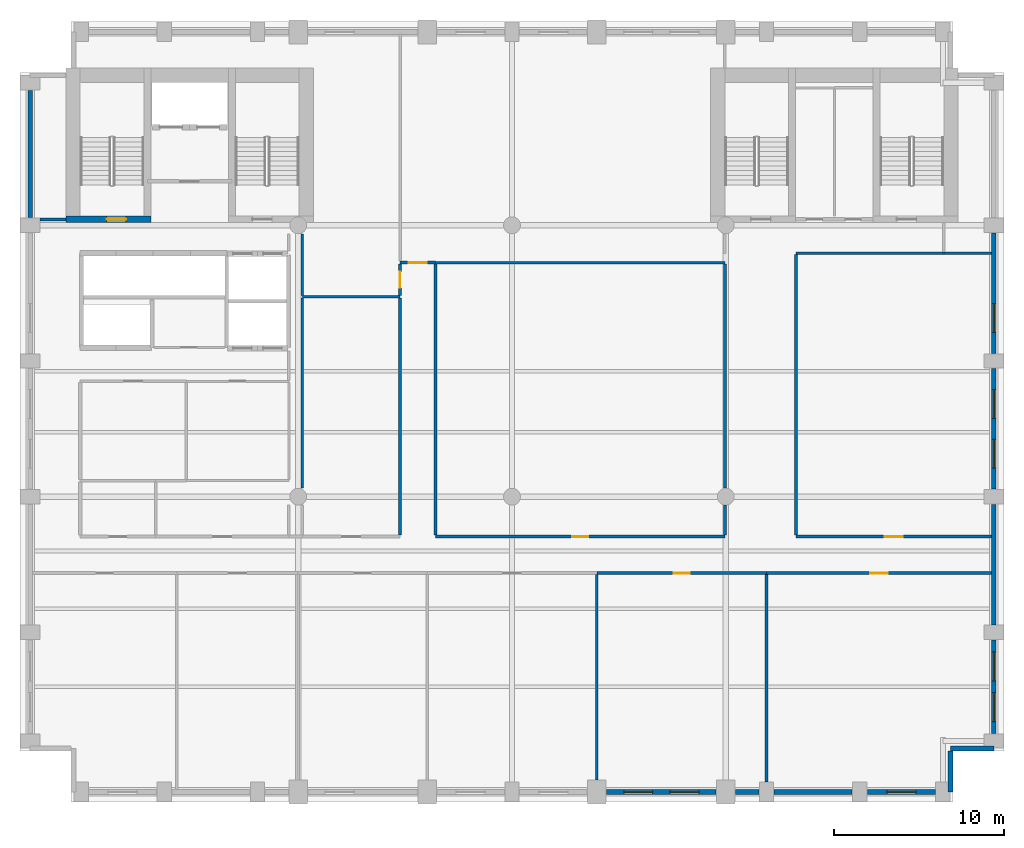
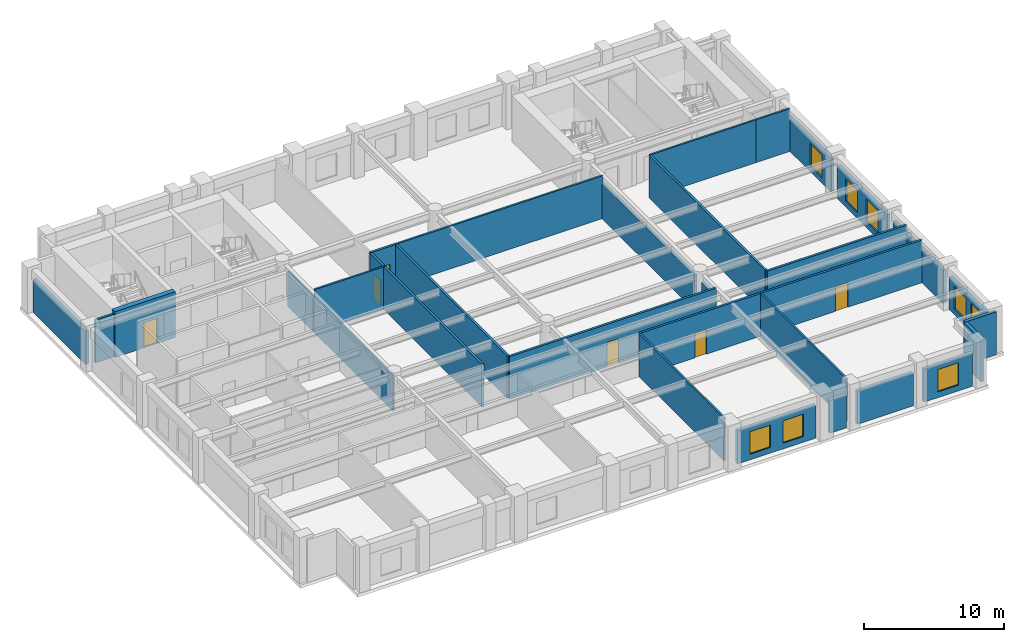
# One storey, part 4 of 8: 32 walls, 8 windows, 7 doors, 15 openings.
"""IFC4 building model written with IfcOpenShell, lengths in metres."""

from ifc_helpers import new_model, si_unit, direction, frame, frame_2d, origin, place, context, subcontext, project, spatial, rectangle, extrude, material, layer, layer_set, type_object, element, fill, save


model = new_model("IFC4")

# Units and contexts
model_context = context("Model", 3, precision=1e-05, world=origin(), true_north=direction((0.0, 1.0)))
body_context = subcontext(model_context, "Body", "Model", "MODEL_VIEW")
ifc_project = project(units=[si_unit("LENGTHUNIT", "METRE"), si_unit("AREAUNIT", "SQUARE_METRE"), si_unit("VOLUMEUNIT", "CUBIC_METRE"), si_unit("PLANEANGLEUNIT", "RADIAN"), si_unit("MASSUNIT", "GRAM", prefix="KILO")], contexts=[model_context])

# Site, building, storey
site_placement = place(None, origin())
site = spatial("IfcSite", under=ifc_project, at=site_placement, CompositionType="ELEMENT")
building_placement = place(site_placement, origin())
building = spatial("IfcBuilding", under=site, at=building_placement, Name="Sulina Concourse Tower", CompositionType="ELEMENT")
storey_placement = place(building_placement, frame((0.0, 0.0, 136.60009765625)))
storey = spatial("IfcBuildingStorey", under=building, at=storey_placement, Name="L33", CompositionType="ELEMENT", Elevation=136.60009765625)

# Walls
ifc_material_1 = material(Name="Gypsum board on steel stud", Category="steel")
ifc_layer_1 = layer(ifc_material_1, 0.14990234375)
ifc_layer_set_1 = layer_set([ifc_layer_1], Name="Gypsum board on steel stud")
wall_type_1 = type_object("IfcWallType", Name="Inter-Tenancy Acoustic Partition 150mm", PredefinedType="PARTITIONING", material=ifc_layer_set_1)
wall_1_placement = place(storey_placement, frame((16.64990234375, 29.800048828125, 0.0), z_axis=(0.0, 0.0, 1.0), x_axis=(1.0, 0.0, 0.0)))
element("IfcWall", 1, at=wall_1_placement, inside=storey, type_object=wall_type_1, Name="L33 interior partition 019", PredefinedType="PARTITIONING", context=body_context, shape_type="SweptSolid", body=[
    extrude(rectangle(XDim=5.75, YDim=0.14990234375, at=frame_2d((2.875, 0.0))), origin(), (0.0, 0.0, 1.0), 3.724853515625),
])
wall_2_placement = place(storey_placement, frame((24.5, 31.800048828125, 0.0), z_axis=(0.0, 0.0, 1.0), x_axis=(1.0, 0.0, 0.0)))
element("IfcWall", 2, at=wall_2_placement, inside=storey, type_object=wall_type_1, Name="L33 interior partition 021", PredefinedType="PARTITIONING", context=body_context, shape_type="SweptSolid", body=[
    extrude(rectangle(XDim=17.050048828125, YDim=0.14990234375, at=frame_2d((8.52490234375, 0.0))), origin(), (0.0, 0.0, 1.0), 3.724853515625),
])
wall_3_placement = place(storey_placement, frame((45.75, 32.35009765625, 0.0), z_axis=(0.0, 0.0, 1.0), x_axis=(1.0, 0.0, 0.0)))
element("IfcWall", 3, at=wall_3_placement, inside=storey, type_object=wall_type_1, Name="L33 interior partition 022", PredefinedType="PARTITIONING", context=body_context, shape_type="SweptSolid", body=[
    extrude(rectangle(XDim=8.699951171875, YDim=0.14990234375, at=frame_2d((4.35009765625, 0.0))), origin(), (0.0, 0.0, 1.0), 3.724853515625),
])
wall_4_placement = place(storey_placement, frame((54.449951171875, 32.35009765625, 0.0), z_axis=(0.0, 0.0, 1.0), x_axis=(1.0, 0.0, 0.0)))
element("IfcWall", 4, at=wall_4_placement, inside=storey, type_object=wall_type_1, Name="L33 interior partition 023", PredefinedType="PARTITIONING", context=body_context, shape_type="SweptSolid", body=[
    extrude(rectangle(XDim=2.81005859375, YDim=0.14990234375, at=frame_2d((1.405029296875, 0.0))), origin(), (0.0, 0.0, 1.0), 3.724853515625),
])
wall_5_placement = place(storey_placement, frame((16.64990234375, 18.5, 0.0), z_axis=(0.0, 0.0, 1.0), x_axis=(0.0, 1.0, 0.0)))
element("IfcWall", 5, at=wall_5_placement, inside=storey, type_object=wall_type_1, Name="L33 interior partition 038", PredefinedType="PARTITIONING", context=body_context, shape_type="SweptSolid", body=[
    extrude(rectangle(XDim=11.22509765625, YDim=0.14990234375, at=frame_2d((5.612548828125, 0.0))), origin(), (0.0, 0.0, 1.0), 3.06982421875),
])
wall_6_placement = place(storey_placement, frame((16.64990234375, 29.875, 0.0), z_axis=(0.0, 0.0, 1.0), x_axis=(0.0, 1.0, 0.0)))
element("IfcWall", 6, at=wall_6_placement, inside=storey, type_object=wall_type_1, Name="L33 interior partition 039", PredefinedType="PARTITIONING", context=body_context, shape_type="SweptSolid", body=[
    extrude(rectangle(XDim=3.625, YDim=0.14990234375, at=frame_2d((1.8125, 0.0))), origin(), (0.0, 0.0, 1.0), 3.06982421875),
])
wall_7_placement = place(storey_placement, frame((34.0, 1.300048828125, 0.0), z_axis=(0.0, 0.0, 1.0), x_axis=(0.0, 1.0, 0.0)))
element("IfcWall", 7, at=wall_7_placement, inside=storey, type_object=wall_type_1, Name="L33 interior partition 045", PredefinedType="PARTITIONING", context=body_context, shape_type="SweptSolid", body=[
    extrude(rectangle(XDim=12.10986328125, YDim=0.14990234375, at=frame_2d((6.054931640625, 0.0))), origin(), (0.0, 0.0, 1.0), 3.724853515625),
])
wall_8_placement = place(storey_placement, frame((44.0, 1.175048828125, 0.0), z_axis=(0.0, 0.0, 1.0), x_axis=(0.0, 1.0, 0.0)))
element("IfcWall", 8, at=wall_8_placement, inside=storey, type_object=wall_type_1, Name="L33 interior partition 050", PredefinedType="PARTITIONING", context=body_context, shape_type="SweptSolid", body=[
    extrude(rectangle(XDim=12.23486328125, YDim=0.14990234375, at=frame_2d((6.117431640625, 0.0))), origin(), (0.0, 0.0, 1.0), 3.724853515625),
])

# Wall, opening, door
ifc_material_2 = material(Name="Gypsum board on steel stud", Category="steel")
ifc_layer_2 = layer(ifc_material_2, 0.179931640625)
ifc_layer_set_2 = layer_set([ifc_layer_2], Name="Gypsum board on steel stud")
wall_type_2 = type_object("IfcWallType", Name="Protected Corridor & Riser Partition 180mm", PredefinedType="PARTITIONING", material=ifc_layer_set_2)
wall_9_placement = place(storey_placement, frame((34.0, 13.5, 0.0), z_axis=(0.0, 0.0, 1.0), x_axis=(1.0, 0.0, 0.0)))
wall_9 = element("IfcWall", 9, at=wall_9_placement, inside=storey, type_object=wall_type_2, Name="L33 interior partition 005", PredefinedType="PARTITIONING", context=body_context, shape_type="SweptSolid", body=[
    extrude(rectangle(XDim=10.0, YDim=0.179931640625, at=frame_2d((5.0, 0.0))), origin(), (0.0, 0.0, 1.0), 3.724853515625),
])
opening_1_placement = place(wall_9_placement, frame((4.52490234375, 0.0, 0.0)))
opening_1 = element("IfcOpeningElement", 10, at=opening_1_placement, cuts=wall_9, Name="Opening DR-19", PredefinedType="OPENING", context=body_context, shape_type="SweptSolid", body=[
    extrude(rectangle(XDim=0.949951171875, YDim=2.14990234375, at=frame_2d((0.47509765625, 1.074951171875))), frame((0.0, 0.099853515625, 0.0), z_axis=(0.0, -1.0, 0.0), x_axis=(1.0, 0.0, 0.0)), (0.0, 0.0, 1.0), 0.199951171875),
])
ifc_material_3 = material(Name="Oak-veneered acoustic timber leaf", Category="wood")
ifc_layer_3 = layer(ifc_material_3, 0.050048828125)
ifc_layer_set_3 = layer_set([ifc_layer_3], Name="Oak-veneered acoustic timber leaf")
door_type_1 = type_object("IfcDoorType", Name="Cellular Office & Meeting Door 950x2150", OperationType="NOTDEFINED", PredefinedType="DOOR", material=ifc_layer_set_3)
door_1_placement = place(opening_1_placement, origin())
door_1 = element("IfcDoor", 11, at=door_1_placement, inside=storey, type_object=door_type_1, Name="L33 interior door L33-S05", OperationType="SINGLE_SWING_RIGHT", OverallHeight=2.14990234375, OverallWidth=0.949951171875, PredefinedType="DOOR", context=body_context, shape_type="SweptSolid", body=[
    extrude(rectangle(XDim=0.949951171875, YDim=2.14990234375, at=frame_2d((0.47509765625, 1.074951171875))), frame((0.0, 0.02490234375, 0.0), z_axis=(0.0, -1.0, 0.0), x_axis=(1.0, 0.0, 0.0)), (0.0, 0.0, 1.0), 0.050048828125),
])
fill(opening_1, door_1)

wall_10_placement = place(storey_placement, frame((44.0, 13.5, 0.0), z_axis=(0.0, 0.0, 1.0), x_axis=(1.0, 0.0, 0.0)))
wall_10 = element("IfcWall", 12, at=wall_10_placement, inside=storey, type_object=wall_type_2, Name="L33 interior partition 006", PredefinedType="PARTITIONING", context=body_context, shape_type="SweptSolid", body=[
    extrude(rectangle(XDim=13.260009765625, YDim=0.179931640625, at=frame_2d((6.6298828125, 0.0))), origin(), (0.0, 0.0, 1.0), 3.724853515625),
])
opening_2_placement = place(wall_10_placement, frame((6.10498046875, 0.0, 0.0)))
opening_2 = element("IfcOpeningElement", 13, at=opening_2_placement, cuts=wall_10, Name="Opening DR-37", PredefinedType="OPENING", context=body_context, shape_type="SweptSolid", body=[
    extrude(rectangle(XDim=1.050048828125, YDim=2.14990234375, at=frame_2d((0.52490234375, 1.074951171875))), frame((0.0, 0.099853515625, 0.0), z_axis=(0.0, -1.0, 0.0), x_axis=(1.0, 0.0, 0.0)), (0.0, 0.0, 1.0), 0.199951171875),
])
ifc_material_4 = material(Name="Oak-veneered fire door leaf")
ifc_layer_4 = layer(ifc_material_4, 0.050048828125)
ifc_layer_set_4 = layer_set([ifc_layer_4], Name="Oak-veneered fire door leaf")
door_type_2 = type_object("IfcDoorType", Name="Tenant Suite Entrance Fire Door 1050x2150", OperationType="NOTDEFINED", PredefinedType="DOOR", material=ifc_layer_set_4)
door_2_placement = place(opening_2_placement, origin())
door_2 = element("IfcDoor", 14, at=door_2_placement, inside=storey, type_object=door_type_2, Name="L33 interior door L33-S06", OperationType="SINGLE_SWING_LEFT", OverallHeight=2.14990234375, OverallWidth=1.050048828125, PredefinedType="DOOR", context=body_context, shape_type="SweptSolid", body=[
    extrude(rectangle(XDim=1.050048828125, YDim=2.14990234375, at=frame_2d((0.52490234375, 1.074951171875))), frame((0.0, 0.02490234375, 0.0), z_axis=(0.0, -1.0, 0.0), x_axis=(1.0, 0.0, 0.0)), (0.0, 0.0, 1.0), 0.050048828125),
])
fill(opening_2, door_2)

wall_11_placement = place(storey_placement, frame((24.5, 15.64990234375, 0.0), z_axis=(0.0, 0.0, 1.0), x_axis=(1.0, 0.0, 0.0)))
wall_11 = element("IfcWall", 15, at=wall_11_placement, inside=storey, type_object=wall_type_2, Name="L33 interior partition 011", PredefinedType="PARTITIONING", context=body_context, shape_type="SweptSolid", body=[
    extrude(rectangle(XDim=17.050048828125, YDim=0.179931640625, at=frame_2d((8.52490234375, 0.0))), origin(), (0.0, 0.0, 1.0), 3.724853515625),
])
opening_3_placement = place(wall_11_placement, frame((8.050048828125, 0.0, 0.0)))
opening_3 = element("IfcOpeningElement", 16, at=opening_3_placement, cuts=wall_11, Name="Opening DR-19", PredefinedType="OPENING", context=body_context, shape_type="SweptSolid", body=[
    extrude(rectangle(XDim=0.949951171875, YDim=2.14990234375, at=frame_2d((0.47509765625, 1.074951171875))), frame((0.0, 0.099853515625, 0.0), z_axis=(0.0, -1.0, 0.0), x_axis=(1.0, 0.0, 0.0)), (0.0, 0.0, 1.0), 0.199951171875),
])
door_3_placement = place(opening_3_placement, origin())
door_3 = element("IfcDoor", 17, at=door_3_placement, inside=storey, type_object=door_type_1, Name="L33 interior door L33-NC3", OperationType="SINGLE_SWING_LEFT", OverallHeight=2.14990234375, OverallWidth=0.949951171875, PredefinedType="DOOR", context=body_context, shape_type="SweptSolid", body=[
    extrude(rectangle(XDim=0.949951171875, YDim=2.14990234375, at=frame_2d((0.47509765625, 1.074951171875))), frame((0.0, 0.02490234375, 0.0), z_axis=(0.0, -1.0, 0.0), x_axis=(1.0, 0.0, 0.0)), (0.0, 0.0, 1.0), 0.050048828125),
])
fill(opening_3, door_3)

wall_12_placement = place(storey_placement, frame((45.75, 15.64990234375, 0.0), z_axis=(0.0, 0.0, 1.0), x_axis=(1.0, 0.0, 0.0)))
wall_12 = element("IfcWall", 18, at=wall_12_placement, inside=storey, type_object=wall_type_2, Name="L33 interior partition 012", PredefinedType="PARTITIONING", context=body_context, shape_type="SweptSolid", body=[
    extrude(rectangle(XDim=11.510009765625, YDim=0.179931640625, at=frame_2d((5.7548828125, 0.0))), origin(), (0.0, 0.0, 1.0), 3.724853515625),
])
opening_4_placement = place(wall_12_placement, frame((5.22998046875, 0.0, 0.0)))
opening_4 = element("IfcOpeningElement", 19, at=opening_4_placement, cuts=wall_12, Name="Opening DR-37", PredefinedType="OPENING", context=body_context, shape_type="SweptSolid", body=[
    extrude(rectangle(XDim=1.050048828125, YDim=2.14990234375, at=frame_2d((0.52490234375, 1.074951171875))), frame((0.0, 0.099853515625, 0.0), z_axis=(0.0, -1.0, 0.0), x_axis=(1.0, 0.0, 0.0)), (0.0, 0.0, 1.0), 0.199951171875),
])
door_4_placement = place(opening_4_placement, origin())
door_4 = element("IfcDoor", 20, at=door_4_placement, inside=storey, type_object=door_type_2, Name="L33 interior door L33-NE1", OperationType="SINGLE_SWING_RIGHT", OverallHeight=2.14990234375, OverallWidth=1.050048828125, PredefinedType="DOOR", context=body_context, shape_type="SweptSolid", body=[
    extrude(rectangle(XDim=1.050048828125, YDim=2.14990234375, at=frame_2d((0.52490234375, 1.074951171875))), frame((0.0, 0.02490234375, 0.0), z_axis=(0.0, -1.0, 0.0), x_axis=(1.0, 0.0, 0.0)), (0.0, 0.0, 1.0), 0.050048828125),
])
fill(opening_4, door_4)

wall_13_placement = place(storey_placement, frame((22.39990234375, 31.800048828125, 0.0), z_axis=(0.0, 0.0, 1.0), x_axis=(1.0, 0.0, 0.0)))
wall_13 = element("IfcWall", 21, at=wall_13_placement, inside=storey, type_object=wall_type_2, Name="L33 interior partition 020", PredefinedType="PARTITIONING", context=body_context, shape_type="SweptSolid", body=[
    extrude(rectangle(XDim=2.10009765625, YDim=0.179931640625, at=frame_2d((1.050048828125, 0.0))), origin(), (0.0, 0.0, 1.0), 3.724853515625),
])
opening_5_placement = place(wall_13_placement, frame((0.52490234375, 0.0, 0.0)))
opening_5 = element("IfcOpeningElement", 22, at=opening_5_placement, cuts=wall_13, Name="Opening DR-37", PredefinedType="OPENING", context=body_context, shape_type="SweptSolid", body=[
    extrude(rectangle(XDim=1.050048828125, YDim=2.14990234375, at=frame_2d((0.52490234375, 1.074951171875))), frame((0.0, 0.099853515625, 0.0), z_axis=(0.0, -1.0, 0.0), x_axis=(1.0, 0.0, 0.0)), (0.0, 0.0, 1.0), 0.199951171875),
])
door_5_placement = place(opening_5_placement, origin())
door_5 = element("IfcDoor", 23, at=door_5_placement, inside=storey, type_object=door_type_2, Name="L33 interior door L33-NC4", OperationType="SINGLE_SWING_RIGHT", OverallHeight=2.14990234375, OverallWidth=1.050048828125, PredefinedType="DOOR", context=body_context, shape_type="SweptSolid", body=[
    extrude(rectangle(XDim=1.050048828125, YDim=2.14990234375, at=frame_2d((0.52490234375, 1.074951171875))), frame((0.0, 0.02490234375, 0.0), z_axis=(0.0, -1.0, 0.0), x_axis=(1.0, 0.0, 0.0)), (0.0, 0.0, 1.0), 0.050048828125),
])
fill(opening_5, door_5)

# Walls
wall_14_placement = place(storey_placement, frame((1.175048828125, 34.35009765625, 0.0), z_axis=(0.0, 0.0, 1.0), x_axis=(1.0, 0.0, 0.0)))
element("IfcWall", 24, at=wall_14_placement, inside=storey, type_object=wall_type_2, Name="L33 interior partition 024", PredefinedType="PARTITIONING", context=body_context, shape_type="SweptSolid", body=[
    extrude(rectangle(XDim=1.52490234375, YDim=0.179931640625, at=frame_2d((0.762451171875, 0.0))), origin(), (0.0, 0.0, 1.0), 3.724853515625),
])
wall_15_placement = place(storey_placement, frame((22.39990234375, 15.739990234375, 0.0), z_axis=(0.0, 0.0, 1.0), x_axis=(0.0, 1.0, 0.0)))
element("IfcWall", 25, at=wall_15_placement, inside=storey, type_object=wall_type_2, Name="L33 interior partition 040", PredefinedType="PARTITIONING", context=body_context, shape_type="SweptSolid", body=[
    extrude(rectangle(XDim=13.985107421875, YDim=0.179931640625, at=frame_2d((6.99267578125, 0.0))), origin(), (0.0, 0.0, 1.0), 3.724853515625),
])

# Wall, opening, door
wall_16_placement = place(storey_placement, frame((22.39990234375, 29.875, 0.0), z_axis=(0.0, 0.0, 1.0), x_axis=(0.0, 1.0, 0.0)))
wall_16 = element("IfcWall", 26, at=wall_16_placement, inside=storey, type_object=wall_type_2, Name="L33 interior partition 041", PredefinedType="PARTITIONING", context=body_context, shape_type="SweptSolid", body=[
    extrude(rectangle(XDim=1.8349609375, YDim=0.179931640625, at=frame_2d((0.91748046875, 0.0))), origin(), (0.0, 0.0, 1.0), 3.724853515625),
])
opening_6_placement = place(wall_16_placement, frame((0.4423828125, 0.0, 0.0)))
opening_6 = element("IfcOpeningElement", 27, at=opening_6_placement, cuts=wall_16, Name="Opening DR-19", PredefinedType="OPENING", context=body_context, shape_type="SweptSolid", body=[
    extrude(rectangle(XDim=0.949951171875, YDim=2.14990234375, at=frame_2d((0.47509765625, 1.074951171875))), frame((0.0, 0.099853515625, 0.0), z_axis=(0.0, -1.0, 0.0), x_axis=(1.0, 0.0, 0.0)), (0.0, 0.0, 1.0), 0.199951171875),
])
door_6_placement = place(opening_6_placement, origin())
door_6 = element("IfcDoor", 28, at=door_6_placement, inside=storey, type_object=door_type_1, Name="L33 interior door L33-NC2", OperationType="SINGLE_SWING_LEFT", OverallHeight=2.14990234375, OverallWidth=0.949951171875, PredefinedType="DOOR", context=body_context, shape_type="SweptSolid", body=[
    extrude(rectangle(XDim=0.949951171875, YDim=2.14990234375, at=frame_2d((0.47509765625, 1.074951171875))), frame((0.0, 0.02490234375, 0.0), z_axis=(0.0, -1.0, 0.0), x_axis=(1.0, 0.0, 0.0)), (0.0, 0.0, 1.0), 0.050048828125),
])
fill(opening_6, door_6)

# Walls
wall_17_placement = place(storey_placement, frame((24.5, 15.739990234375, 0.0), z_axis=(0.0, 0.0, 1.0), x_axis=(0.0, 1.0, 0.0)))
element("IfcWall", 29, at=wall_17_placement, inside=storey, type_object=wall_type_2, Name="L33 interior partition 044", PredefinedType="PARTITIONING", context=body_context, shape_type="SweptSolid", body=[
    extrude(rectangle(XDim=15.969970703125, YDim=0.179931640625, at=frame_2d((7.98486328125, 0.0))), origin(), (0.0, 0.0, 1.0), 3.724853515625),
])
wall_18_placement = place(storey_placement, frame((41.550048828125, 15.739990234375, 0.0), z_axis=(0.0, 0.0, 1.0), x_axis=(0.0, 1.0, 0.0)))
element("IfcWall", 30, at=wall_18_placement, inside=storey, type_object=wall_type_2, Name="L33 interior partition 046", PredefinedType="PARTITIONING", context=body_context, shape_type="SweptSolid", body=[
    extrude(rectangle(XDim=1.760009765625, YDim=0.179931640625, at=frame_2d((0.8798828125, 0.0))), origin(), (0.0, 0.0, 1.0), 3.06982421875),
])
wall_19_placement = place(storey_placement, frame((41.550048828125, 18.5, 0.0), z_axis=(0.0, 0.0, 1.0), x_axis=(0.0, 1.0, 0.0)))
element("IfcWall", 31, at=wall_19_placement, inside=storey, type_object=wall_type_2, Name="L33 interior partition 047", PredefinedType="PARTITIONING", context=body_context, shape_type="SweptSolid", body=[
    extrude(rectangle(XDim=13.22509765625, YDim=0.179931640625, at=frame_2d((6.612548828125, 0.0))), origin(), (0.0, 0.0, 1.0), 3.06982421875),
])
wall_20_placement = place(storey_placement, frame((45.75, 15.739990234375, 0.0), z_axis=(0.0, 0.0, 1.0), x_axis=(0.0, 1.0, 0.0)))
element("IfcWall", 32, at=wall_20_placement, inside=storey, type_object=wall_type_2, Name="L33 interior partition 051", PredefinedType="PARTITIONING", context=body_context, shape_type="SweptSolid", body=[
    extrude(rectangle(XDim=16.534912109375, YDim=0.179931640625, at=frame_2d((8.267578125, 0.0))), origin(), (0.0, 0.0, 1.0), 3.724853515625),
])

# Wall, opening, door
ifc_material_5 = material(Name="Concrete C60/75", Category="concrete")
ifc_layer_5 = layer(ifc_material_5, 0.39990234375)
ifc_layer_set_5 = layer_set([ifc_layer_5], Name="Concrete C60/75")
wall_type_3 = type_object("IfcWallType", Name="Protected Stair Core Shear Wall 400mm", PredefinedType="SHEAR", material=ifc_layer_set_5)
wall_21_placement = place(storey_placement, frame((2.699951171875, 34.35009765625, 0.0), z_axis=(0.0, 0.0, 1.0), x_axis=(1.0, 0.0, 0.0)))
wall_21 = element("IfcWall", 33, at=wall_21_placement, inside=storey, type_object=wall_type_3, Name="L33 west core shear wall CW-WS1", PredefinedType="SHEAR", context=body_context, shape_type="SweptSolid", body=[
    extrude(rectangle(XDim=5.010009765625, YDim=0.39990234375, at=frame_2d((2.5048828125, 0.0))), origin(), (0.0, 0.0, 1.0), 4.0),
])
opening_7_placement = place(wall_21_placement, frame((2.39990234375, 0.0, 0.0)))
opening_7 = element("IfcOpeningElement", 34, at=opening_7_placement, cuts=wall_21, Name="Opening DR-60", PredefinedType="OPENING", context=body_context, shape_type="SweptSolid", body=[
    extrude(rectangle(XDim=1.14990234375, YDim=2.199951171875, at=frame_2d((0.574951171875, 1.10009765625))), frame((0.0, 0.2099609375, 0.0), z_axis=(0.0, -1.0, 0.0), x_axis=(1.0, 0.0, 0.0)), (0.0, 0.0, 1.0), 0.419921875),
])
ifc_material_6 = material(Name="Galvanised steel acoustic fire leaf", Category="steel")
ifc_layer_6 = layer(ifc_material_6, 0.054931640625)
ifc_layer_set_6 = layer_set([ifc_layer_6], Name="Galvanised steel acoustic fire leaf")
door_type_3 = type_object("IfcDoorType", Name="Protected Exit Stair Fire Door 1150x2200", OperationType="NOTDEFINED", PredefinedType="DOOR", material=ifc_layer_set_6)
door_7_placement = place(opening_7_placement, origin())
door_7 = element("IfcDoor", 35, at=door_7_placement, inside=storey, type_object=door_type_3, Name="L33 stair ST-1 lobby fire door", OperationType="SINGLE_SWING_RIGHT", OverallHeight=2.199951171875, OverallWidth=1.14990234375, PredefinedType="DOOR", context=body_context, shape_type="SweptSolid", body=[
    extrude(rectangle(XDim=1.14990234375, YDim=2.199951171875, at=frame_2d((0.574951171875, 1.10009765625))), frame((0.0, 0.02490234375, 0.0), z_axis=(0.0, -1.0, 0.0), x_axis=(1.0, 0.0, 0.0)), (0.0, 0.0, 1.0), 0.050048828125),
])
fill(opening_7, door_7)

# Wall, openings, windows
ifc_material_7 = material(Name="Precast concrete C50/60", Category="concrete")
ifc_layer_7 = layer(ifc_material_7, 0.280029296875)
ifc_layer_set_7 = layer_set([ifc_layer_7], Name="Precast concrete C50/60")
wall_type_4 = type_object("IfcWallType", Name="Typical Precast Masonry-Frame Facade Wall 280mm", PredefinedType="SOLIDWALL", material=ifc_layer_set_7)
wall_22_placement = place(storey_placement, frame((41.030029296875, 0.60009765625, 0.0), z_axis=(0.0, 0.0, 1.0), x_axis=(-1.0, 0.0, 0.0)))
wall_22 = element("IfcWall", 36, at=wall_22_placement, inside=storey, type_object=wall_type_4, Name="L33 exterior precast wall S7", PredefinedType="SOLIDWALL", context=body_context, shape_type="SweptSolid", body=[
    extrude(rectangle(XDim=6.4599609375, YDim=0.280029296875, at=frame_2d((3.22998046875, 0.0))), origin(), (0.0, 0.0, 1.0), 2.875),
])
opening_8_placement = place(wall_22_placement, frame((1.02001953125, 0.0, 0.5)))
opening_8 = element("IfcOpeningElement", 37, at=opening_8_placement, cuts=wall_22, Name="Opening WN-66", PredefinedType="OPENING", context=body_context, shape_type="SweptSolid", body=[
    extrude(rectangle(XDim=1.699951171875, YDim=1.949951171875, at=frame_2d((0.85009765625, 0.97509765625))), frame((0.0, 0.14990234375, 0.0), z_axis=(0.0, -1.0, 0.0), x_axis=(1.0, 0.0, 0.0)), (0.0, 0.0, 1.0), 0.300048828125),
])
opening_9_placement = place(wall_22_placement, frame((3.739990234375, 0.0, 0.5)))
opening_9 = element("IfcOpeningElement", 38, at=opening_9_placement, cuts=wall_22, Name="Opening WN-66", PredefinedType="OPENING", context=body_context, shape_type="SweptSolid", body=[
    extrude(rectangle(XDim=1.699951171875, YDim=1.949951171875, at=frame_2d((0.85009765625, 0.97509765625))), frame((0.0, 0.14990234375, 0.0), z_axis=(0.0, -1.0, 0.0), x_axis=(1.0, 0.0, 0.0)), (0.0, 0.0, 1.0), 0.300048828125),
])
ifc_material_8 = material(Name="Low-E solar double glazing in bronze aluminium", Category="aluminium")
window_type = type_object("IfcWindowType", Name="Recessed Spandrel Window 1700x1950", PartitioningType="SINGLE_PANEL", PredefinedType="WINDOW", material=ifc_material_8)
window_1_placement = place(opening_8_placement, origin())
window_1 = element("IfcWindow", 39, at=window_1_placement, inside=storey, type_object=window_type, Name="L33 punched window S7-1", OverallHeight=1.949951171875, OverallWidth=1.699951171875, PartitioningType="SINGLE_PANEL", PredefinedType="WINDOW", context=body_context, shape_type="SweptSolid", body=[
    extrude(rectangle(XDim=1.699951171875, YDim=1.949951171875, at=frame_2d((0.85009765625, 0.97509765625))), frame((0.0, 0.030029296875, 0.0), z_axis=(0.0, -1.0, 0.0), x_axis=(1.0, 0.0, 0.0)), (0.0, 0.0, 1.0), 0.06005859375),
])
fill(opening_8, window_1)
window_2_placement = place(opening_9_placement, origin())
window_2 = element("IfcWindow", 40, at=window_2_placement, inside=storey, type_object=window_type, Name="L33 punched window S7-2", OverallHeight=1.949951171875, OverallWidth=1.699951171875, PartitioningType="SINGLE_PANEL", PredefinedType="WINDOW", context=body_context, shape_type="SweptSolid", body=[
    extrude(rectangle(XDim=1.699951171875, YDim=1.949951171875, at=frame_2d((0.85009765625, 0.97509765625))), frame((0.0, 0.030029296875, 0.0), z_axis=(0.0, -1.0, 0.0), x_axis=(1.0, 0.0, 0.0)), (0.0, 0.0, 1.0), 0.06005859375),
])
fill(opening_9, window_2)

# Walls
wall_23_placement = place(storey_placement, frame((43.554931640625, 0.60009765625, 0.0), z_axis=(0.0, 0.0, 1.0), x_axis=(-1.0, 0.0, 0.0)))
element("IfcWall", 41, at=wall_23_placement, inside=storey, type_object=wall_type_4, Name="L33 exterior precast wall S8", PredefinedType="SOLIDWALL", context=body_context, shape_type="SweptSolid", body=[
    extrude(rectangle(XDim=1.385009765625, YDim=0.280029296875, at=frame_2d((0.6923828125, 0.0))), origin(), (0.0, 0.0, 1.0), 2.875),
])
wall_24_placement = place(storey_placement, frame((49.054931640625, 0.60009765625, 0.0), z_axis=(0.0, 0.0, 1.0), x_axis=(-1.0, 0.0, 0.0)))
element("IfcWall", 42, at=wall_24_placement, inside=storey, type_object=wall_type_4, Name="L33 exterior precast wall S9", PredefinedType="SOLIDWALL", context=body_context, shape_type="SweptSolid", body=[
    extrude(rectangle(XDim=4.60986328125, YDim=0.280029296875, at=frame_2d((2.304931640625, 0.0))), origin(), (0.0, 0.0, 1.0), 2.875),
])

# Wall, opening, window
wall_25_placement = place(storey_placement, frame((53.955078125, 0.60009765625, 0.0), z_axis=(0.0, 0.0, 1.0), x_axis=(-1.0, 0.0, 0.0)))
wall_25 = element("IfcWall", 43, at=wall_25_placement, inside=storey, type_object=wall_type_4, Name="L33 exterior precast wall S10", PredefinedType="SOLIDWALL", context=body_context, shape_type="SweptSolid", body=[
    extrude(rectangle(XDim=4.010009765625, YDim=0.280029296875, at=frame_2d((2.0048828125, 0.0))), origin(), (0.0, 0.0, 1.0), 2.875),
])
opening_10_placement = place(wall_25_placement, frame((1.155029296875, 0.0, 0.5)))
opening_10 = element("IfcOpeningElement", 44, at=opening_10_placement, cuts=wall_25, Name="Opening WN-66", PredefinedType="OPENING", context=body_context, shape_type="SweptSolid", body=[
    extrude(rectangle(XDim=1.699951171875, YDim=1.949951171875, at=frame_2d((0.85009765625, 0.97509765625))), frame((0.0, 0.14990234375, 0.0), z_axis=(0.0, -1.0, 0.0), x_axis=(1.0, 0.0, 0.0)), (0.0, 0.0, 1.0), 0.300048828125),
])
window_3_placement = place(opening_10_placement, origin())
window_3 = element("IfcWindow", 45, at=window_3_placement, inside=storey, type_object=window_type, Name="L33 punched window S10-1", OverallHeight=1.949951171875, OverallWidth=1.699951171875, PartitioningType="SINGLE_PANEL", PredefinedType="WINDOW", context=body_context, shape_type="SweptSolid", body=[
    extrude(rectangle(XDim=1.699951171875, YDim=1.949951171875, at=frame_2d((0.85009765625, 0.97509765625))), frame((0.0, 0.030029296875, 0.0), z_axis=(0.0, -1.0, 0.0), x_axis=(1.0, 0.0, 0.0)), (0.0, 0.0, 1.0), 0.06005859375),
])
fill(opening_10, window_3)

# Wall
wall_26_placement = place(storey_placement, frame((0.60009765625, 34.445068359375, 0.0), z_axis=(0.0, 0.0, 1.0), x_axis=(0.0, 1.0, 0.0)))
element("IfcWall", 46, at=wall_26_placement, inside=storey, type_object=wall_type_4, Name="L33 exterior precast wall W5", PredefinedType="SOLIDWALL", context=body_context, shape_type="SweptSolid", body=[
    extrude(rectangle(XDim=7.510009765625, YDim=0.280029296875, at=frame_2d((3.7548828125, 0.0))), origin(), (0.0, 0.0, 1.0), 2.875),
])

# Wall, openings, windows
wall_27_placement = place(storey_placement, frame((57.39990234375, 9.554931640625, 0.0), z_axis=(0.0, 0.0, 1.0), x_axis=(0.0, -1.0, 0.0)))
wall_27 = element("IfcWall", 47, at=wall_27_placement, inside=storey, type_object=wall_type_4, Name="L33 exterior precast wall E1", PredefinedType="SOLIDWALL", context=body_context, shape_type="SweptSolid", body=[
    extrude(rectangle(XDim=5.510009765625, YDim=0.280029296875, at=frame_2d((2.7548828125, 0.0))), origin(), (0.0, 0.0, 1.0), 2.875),
])
opening_11_placement = place(wall_27_placement, frame((0.703369140625, 0.0, 0.5)))
opening_11 = element("IfcOpeningElement", 48, at=opening_11_placement, cuts=wall_27, Name="Opening WN-66", PredefinedType="OPENING", context=body_context, shape_type="SweptSolid", body=[
    extrude(rectangle(XDim=1.699951171875, YDim=1.949951171875, at=frame_2d((0.85009765625, 0.97509765625))), frame((0.0, 0.14990234375, 0.0), z_axis=(0.0, -1.0, 0.0), x_axis=(1.0, 0.0, 0.0)), (0.0, 0.0, 1.0), 0.300048828125),
])
opening_12_placement = place(wall_27_placement, frame((3.106689453125, 0.0, 0.5)))
opening_12 = element("IfcOpeningElement", 49, at=opening_12_placement, cuts=wall_27, Name="Opening WN-66", PredefinedType="OPENING", context=body_context, shape_type="SweptSolid", body=[
    extrude(rectangle(XDim=1.699951171875, YDim=1.949951171875, at=frame_2d((0.85009765625, 0.97509765625))), frame((0.0, 0.14990234375, 0.0), z_axis=(0.0, -1.0, 0.0), x_axis=(1.0, 0.0, 0.0)), (0.0, 0.0, 1.0), 0.300048828125),
])
window_4_placement = place(opening_11_placement, origin())
window_4 = element("IfcWindow", 50, at=window_4_placement, inside=storey, type_object=window_type, Name="L33 punched window E1-1", OverallHeight=1.949951171875, OverallWidth=1.699951171875, PartitioningType="SINGLE_PANEL", PredefinedType="WINDOW", context=body_context, shape_type="SweptSolid", body=[
    extrude(rectangle(XDim=1.699951171875, YDim=1.949951171875, at=frame_2d((0.85009765625, 0.97509765625))), frame((0.0, 0.030029296875, 0.0), z_axis=(0.0, -1.0, 0.0), x_axis=(1.0, 0.0, 0.0)), (0.0, 0.0, 1.0), 0.06005859375),
])
fill(opening_11, window_4)
window_5_placement = place(opening_12_placement, origin())
window_5 = element("IfcWindow", 51, at=window_5_placement, inside=storey, type_object=window_type, Name="L33 punched window E1-2", OverallHeight=1.949951171875, OverallWidth=1.699951171875, PartitioningType="SINGLE_PANEL", PredefinedType="WINDOW", context=body_context, shape_type="SweptSolid", body=[
    extrude(rectangle(XDim=1.699951171875, YDim=1.949951171875, at=frame_2d((0.85009765625, 0.97509765625))), frame((0.0, 0.030029296875, 0.0), z_axis=(0.0, -1.0, 0.0), x_axis=(1.0, 0.0, 0.0)), (0.0, 0.0, 1.0), 0.06005859375),
])
fill(opening_12, window_5)

# Wall
wall_28_placement = place(storey_placement, frame((57.39990234375, 17.554931640625, 0.0), z_axis=(0.0, 0.0, 1.0), x_axis=(0.0, -1.0, 0.0)))
element("IfcWall", 52, at=wall_28_placement, inside=storey, type_object=wall_type_4, Name="L33 exterior precast wall E2", PredefinedType="SOLIDWALL", context=body_context, shape_type="SweptSolid", body=[
    extrude(rectangle(XDim=7.10986328125, YDim=0.280029296875, at=frame_2d((3.554931640625, 0.0))), origin(), (0.0, 0.0, 1.0), 2.875),
])

# Wall, openings, windows
wall_29_placement = place(storey_placement, frame((57.39990234375, 25.554931640625, 0.0), z_axis=(0.0, 0.0, 1.0), x_axis=(0.0, -1.0, 0.0)))
wall_29 = element("IfcWall", 53, at=wall_29_placement, inside=storey, type_object=wall_type_4, Name="L33 exterior precast wall E3", PredefinedType="SOLIDWALL", context=body_context, shape_type="SweptSolid", body=[
    extrude(rectangle(XDim=7.10986328125, YDim=0.280029296875, at=frame_2d((3.554931640625, 0.0))), origin(), (0.0, 0.0, 1.0), 2.875),
])
opening_13_placement = place(wall_29_placement, frame((1.23681640625, 0.0, 0.5)))
opening_13 = element("IfcOpeningElement", 54, at=opening_13_placement, cuts=wall_29, Name="Opening WN-66", PredefinedType="OPENING", context=body_context, shape_type="SweptSolid", body=[
    extrude(rectangle(XDim=1.699951171875, YDim=1.949951171875, at=frame_2d((0.85009765625, 0.97509765625))), frame((0.0, 0.14990234375, 0.0), z_axis=(0.0, -1.0, 0.0), x_axis=(1.0, 0.0, 0.0)), (0.0, 0.0, 1.0), 0.300048828125),
])
opening_14_placement = place(wall_29_placement, frame((4.17333984375, 0.0, 0.5)))
opening_14 = element("IfcOpeningElement", 55, at=opening_14_placement, cuts=wall_29, Name="Opening WN-66", PredefinedType="OPENING", context=body_context, shape_type="SweptSolid", body=[
    extrude(rectangle(XDim=1.699951171875, YDim=1.949951171875, at=frame_2d((0.85009765625, 0.97509765625))), frame((0.0, 0.14990234375, 0.0), z_axis=(0.0, -1.0, 0.0), x_axis=(1.0, 0.0, 0.0)), (0.0, 0.0, 1.0), 0.300048828125),
])
window_6_placement = place(opening_13_placement, origin())
window_6 = element("IfcWindow", 56, at=window_6_placement, inside=storey, type_object=window_type, Name="L33 punched window E3-1", OverallHeight=1.949951171875, OverallWidth=1.699951171875, PartitioningType="SINGLE_PANEL", PredefinedType="WINDOW", context=body_context, shape_type="SweptSolid", body=[
    extrude(rectangle(XDim=1.699951171875, YDim=1.949951171875, at=frame_2d((0.85009765625, 0.97509765625))), frame((0.0, 0.030029296875, 0.0), z_axis=(0.0, -1.0, 0.0), x_axis=(1.0, 0.0, 0.0)), (0.0, 0.0, 1.0), 0.06005859375),
])
fill(opening_13, window_6)
window_7_placement = place(opening_14_placement, origin())
window_7 = element("IfcWindow", 57, at=window_7_placement, inside=storey, type_object=window_type, Name="L33 punched window E3-2", OverallHeight=1.949951171875, OverallWidth=1.699951171875, PartitioningType="SINGLE_PANEL", PredefinedType="WINDOW", context=body_context, shape_type="SweptSolid", body=[
    extrude(rectangle(XDim=1.699951171875, YDim=1.949951171875, at=frame_2d((0.85009765625, 0.97509765625))), frame((0.0, 0.030029296875, 0.0), z_axis=(0.0, -1.0, 0.0), x_axis=(1.0, 0.0, 0.0)), (0.0, 0.0, 1.0), 0.06005859375),
])
fill(opening_14, window_7)

# Wall, opening, window
wall_30_placement = place(storey_placement, frame((57.39990234375, 33.554931640625, 0.0), z_axis=(0.0, 0.0, 1.0), x_axis=(0.0, -1.0, 0.0)))
wall_30 = element("IfcWall", 58, at=wall_30_placement, inside=storey, type_object=wall_type_4, Name="L33 exterior precast wall E4", PredefinedType="SOLIDWALL", context=body_context, shape_type="SweptSolid", body=[
    extrude(rectangle(XDim=7.10986328125, YDim=0.280029296875, at=frame_2d((3.554931640625, 0.0))), origin(), (0.0, 0.0, 1.0), 2.875),
])
opening_15_placement = place(wall_30_placement, frame((4.17333984375, 0.0, 0.5)))
opening_15 = element("IfcOpeningElement", 59, at=opening_15_placement, cuts=wall_30, Name="Opening WN-66", PredefinedType="OPENING", context=body_context, shape_type="SweptSolid", body=[
    extrude(rectangle(XDim=1.699951171875, YDim=1.949951171875, at=frame_2d((0.85009765625, 0.97509765625))), frame((0.0, 0.14990234375, 0.0), z_axis=(0.0, -1.0, 0.0), x_axis=(1.0, 0.0, 0.0)), (0.0, 0.0, 1.0), 0.300048828125),
])
window_8_placement = place(opening_15_placement, origin())
window_8 = element("IfcWindow", 60, at=window_8_placement, inside=storey, type_object=window_type, Name="L33 punched window E4-1", OverallHeight=1.949951171875, OverallWidth=1.699951171875, PartitioningType="SINGLE_PANEL", PredefinedType="WINDOW", context=body_context, shape_type="SweptSolid", body=[
    extrude(rectangle(XDim=1.699951171875, YDim=1.949951171875, at=frame_2d((0.85009765625, 0.97509765625))), frame((0.0, 0.030029296875, 0.0), z_axis=(0.0, -1.0, 0.0), x_axis=(1.0, 0.0, 0.0)), (0.0, 0.0, 1.0), 0.06005859375),
])
fill(opening_15, window_8)

# Walls
wall_31_placement = place(storey_placement, frame((57.39990234375, 3.155029296875, 0.0), z_axis=(0.0, 0.0, 1.0), x_axis=(-1.0, 0.0, 0.0)))
element("IfcWall", 61, at=wall_31_placement, inside=storey, type_object=wall_type_4, Name="L33 exterior precast wall CSE1", PredefinedType="SOLIDWALL", context=body_context, shape_type="SweptSolid", body=[
    extrude(rectangle(XDim=2.554931640625, YDim=0.280029296875, at=frame_2d((1.27734375, 0.0))), origin(), (0.0, 0.0, 1.0), 3.724853515625),
])
wall_32_placement = place(storey_placement, frame((54.844970703125, 3.010009765625, 0.0), z_axis=(0.0, 0.0, 1.0), x_axis=(0.0, -1.0, 0.0)))
element("IfcWall", 62, at=wall_32_placement, inside=storey, type_object=wall_type_4, Name="L33 exterior precast wall CSE2", PredefinedType="SOLIDWALL", context=body_context, shape_type="SweptSolid", body=[
    extrude(rectangle(XDim=2.409912109375, YDim=0.280029296875, at=frame_2d((1.205078125, 0.0))), origin(), (0.0, 0.0, 1.0), 3.724853515625),
])

save(model, "model.ifc")
